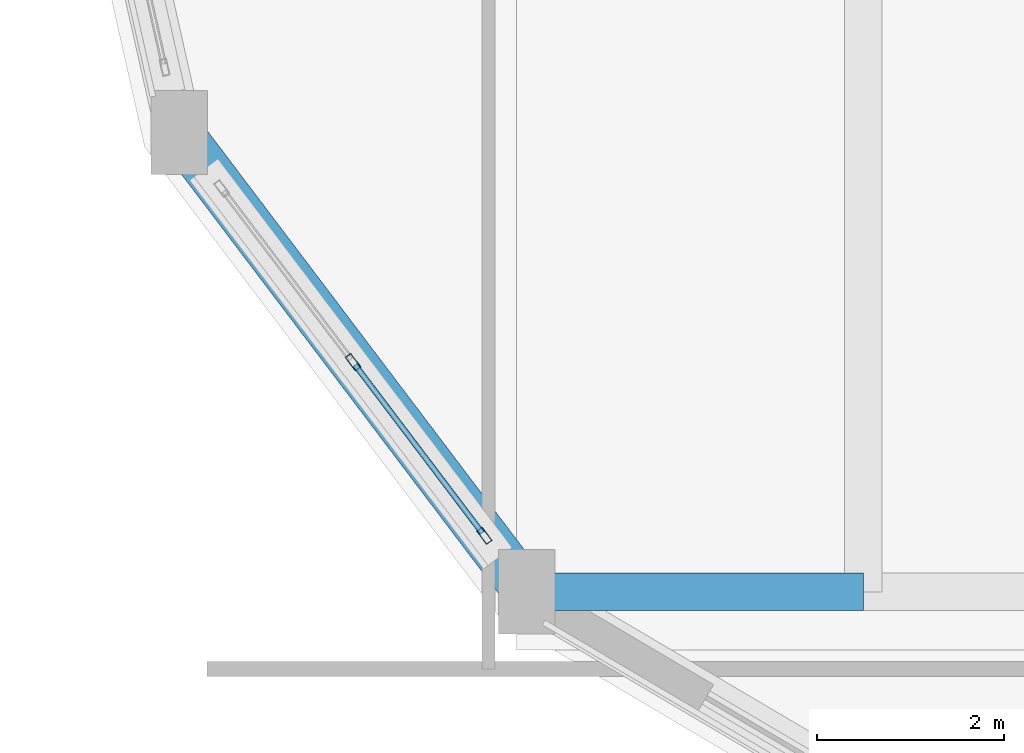
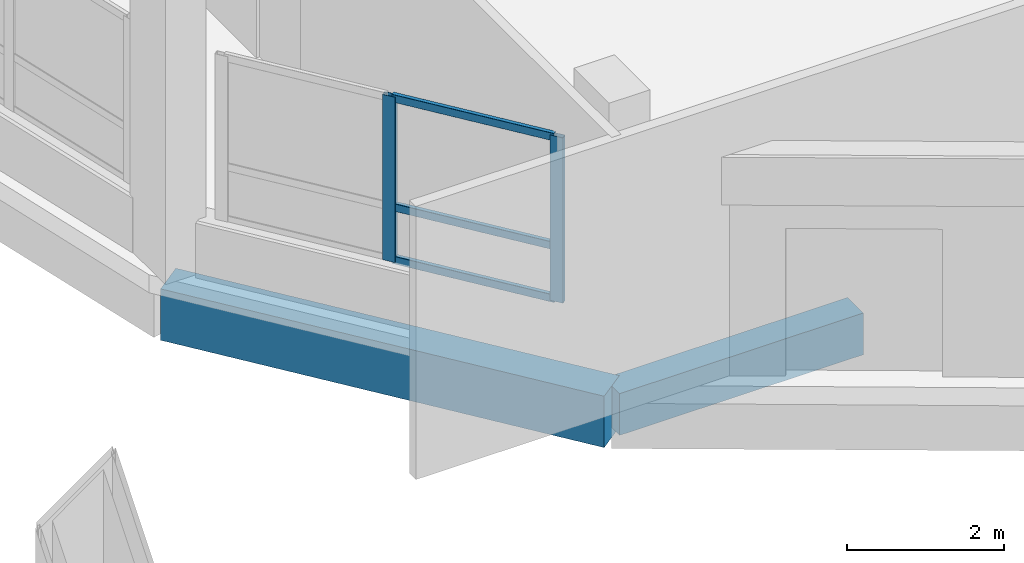
# One storey, part 87 of 129: 5 members, 2 beams, 1 element without a shape of its own.
"""IFC4 building model written with IfcOpenShell, lengths in metres."""

from ifc_helpers import new_model, si_unit, direction, frame, origin, origin_2d, place, context, subcontext, project, spatial, rectangle, hollow_rectangle, extrude, material, layer, layer_set, material_profile, profile_set, type_object, element, aggregate, save


model = new_model("IFC4")

# Units and contexts
model_context = context("Model", 3, precision=1e-05, world=origin(), true_north=direction((0.0, 1.0)))
body_context = subcontext(model_context, "Body", "Model", "MODEL_VIEW")
ifc_project = project(units=[si_unit("LENGTHUNIT", "METRE"), si_unit("AREAUNIT", "SQUARE_METRE"), si_unit("VOLUMEUNIT", "CUBIC_METRE"), si_unit("PLANEANGLEUNIT", "RADIAN"), si_unit("MASSUNIT", "GRAM", prefix="KILO")], contexts=[model_context])

# Site, building, storey
site_placement = place(None, origin())
site = spatial("IfcSite", under=ifc_project, at=site_placement, CompositionType="ELEMENT")
building_placement = place(site_placement, origin())
building = spatial("IfcBuilding", under=site, at=building_placement, Name="Vespera Passage Community Centre", CompositionType="ELEMENT")
storey_placement = place(building_placement, origin())
storey = spatial("IfcBuildingStorey", under=building, at=storey_placement, Name="L00", CompositionType="ELEMENT", Elevation=0.0)

# Beams
ifc_material_1 = material(Name="Concrete f'c 35 MPa", Category="concrete")
ifc_material_profile_1 = material_profile(ifc_material_1, rectangle(XDim=0.39990234375, YDim=0.64990234375, at=origin_2d()), Name="RC400X650")
ifc_profile_set_1 = profile_set([ifc_material_profile_1], Name="Concrete f'c 35 MPa")
beam_type_1 = type_object("IfcBeamType", Name="BM-G-400X650", PredefinedType="BEAM", material=ifc_profile_set_1)
beam_1_placement = place(storey_placement, frame((130.908447265625, 78.82275390625, -0.60498046875), z_axis=(1.0, 0.0, 0.0), x_axis=(0.0, 1.0, 0.0)))
element("IfcBeam", 1, at=beam_1_placement, inside=storey, type_object=beam_type_1, Name="V2 L00 Court Girder 1.1", PredefinedType="BEAM", context=body_context, shape_type="SweptSolid", body=[
    extrude(rectangle(XDim=0.39990234375, YDim=0.64990234375, at=origin_2d()), origin(), (0.0, 0.0, 1.0), 3.591552734375),
])
ifc_material_2 = material(Name="Concrete f'c 35 MPa", Category="concrete")
ifc_material_profile_2 = material_profile(ifc_material_2, rectangle(XDim=0.5, YDim=0.800048828125, at=origin_2d()), Name="RC500X800")
ifc_profile_set_2 = profile_set([ifc_material_profile_2], Name="Concrete f'c 35 MPa")
beam_type_2 = type_object("IfcBeamType", Name="BM-SP-500X800E", PredefinedType="SPANDREL", material=ifc_profile_set_2)
beam_2_placement = place(storey_placement, frame((127.20166015625, 83.721435546875, -0.679931640625), z_axis=(0.603409203322, -0.797431710773, 0.0), x_axis=(0.797431710773, 0.603409203322, 0.0)))
element("IfcBeam", 2, at=beam_2_placement, inside=storey, type_object=beam_type_2, Name="V2 L00 Perimeter Spandrel 10", PredefinedType="SPANDREL", context=body_context, shape_type="SweptSolid", body=[
    extrude(rectangle(XDim=0.5, YDim=0.800048828125, at=origin_2d()), origin(), (0.0, 0.0, 1.0), 6.14306640625),
])

# Curtain wall, members
ifc_material_3 = material(Name="Anodized aluminium 6063-T6", Category="aluminium")
ifc_layer = layer(ifc_material_3, 0.159912109375)
ifc_layer_set = layer_set([ifc_layer], Name="Anodized aluminium 6063-T6")
curtain_wall_type = type_object("IfcCurtainWallType", Name="CW-90E", PredefinedType="NOTDEFINED", material=ifc_layer_set)
curtain_wall_placement = place(storey_placement, origin())
curtain_wall = element("IfcCurtainWall", 3, at=curtain_wall_placement, inside=storey, type_object=curtain_wall_type, Name="Sports Drum Ribbon Curtain Wall L00.10", PredefinedType="NOTDEFINED")
ifc_material_4 = material(Name="Anodized aluminium 6063-T6", Category="aluminium")
ifc_material_profile_3 = material_profile(ifc_material_4, hollow_rectangle(XDim=0.074951171875, YDim=0.179931640625, WallThickness=0.0048828125, InnerFilletRadius=0.00244140625, OuterFilletRadius=0.0048828125, at=origin_2d()), Name="ALU180X75X5")
ifc_profile_set_3 = profile_set([ifc_material_profile_3], Name="Anodized aluminium 6063-T6")
member_type_1 = type_object("IfcMemberType", Name="MB-CWM-180E", PredefinedType="MULLION", material=ifc_profile_set_3)
member_1_placement = place(storey_placement, frame((130.4560546875, 79.42041015625, 0.85009765625), z_axis=(0.0, 0.0, 1.0), x_axis=(-0.797434495654, -0.603405522961, 0.0)))
member_1 = element("IfcMember", 4, at=member_1_placement, type_object=member_type_1, Name="CW-90E mullion 1", PredefinedType="MULLION", context=body_context, shape_type="SweptSolid", body=[
    extrude(hollow_rectangle(XDim=0.074951171875, YDim=0.179931640625, WallThickness=0.0048828125, InnerFilletRadius=0.00244140625, OuterFilletRadius=0.0048828125, at=origin_2d()), origin(), (0.0, 0.0, 1.0), 2.574951171875),
])
member_2_placement = place(storey_placement, frame((129.05517578125, 81.272216796875, 0.85009765625), z_axis=(0.0, 0.0, 1.0), x_axis=(-0.797434495654, -0.603405522961, 0.0)))
member_2 = element("IfcMember", 5, at=member_2_placement, type_object=member_type_1, Name="CW-90E mullion 2", PredefinedType="MULLION", context=body_context, shape_type="SweptSolid", body=[
    extrude(hollow_rectangle(XDim=0.074951171875, YDim=0.179931640625, WallThickness=0.0048828125, InnerFilletRadius=0.00244140625, OuterFilletRadius=0.0048828125, at=origin_2d()), origin(), (0.0, 0.0, 1.0), 2.574951171875),
])
ifc_material_5 = material(Name="Anodized aluminium 6063-T6", Category="aluminium")
ifc_material_profile_4 = material_profile(ifc_material_5, hollow_rectangle(XDim=0.06005859375, YDim=0.1201171875, WallThickness=0.00390625, InnerFilletRadius=0.001953125, OuterFilletRadius=0.00390625, at=origin_2d()), Name="ALU120X60X4")
ifc_profile_set_4 = profile_set([ifc_material_profile_4], Name="Anodized aluminium 6063-T6")
member_type_2 = type_object("IfcMemberType", Name="MB-CWT-120E", PredefinedType="USERDEFINED", material=ifc_profile_set_4)
member_3_placement = place(storey_placement, frame((130.43359375, 79.450439453125, 0.8798828125), z_axis=(-0.603453873456, 0.797397907328, 0.0), x_axis=(-0.797397907328, -0.603453873456, 0.0)))
member_3 = element("IfcMember", 6, at=member_3_placement, type_object=member_type_2, Name="CW-90E transom 1.1", ObjectType="TRANSOM", PredefinedType="USERDEFINED", context=body_context, shape_type="SweptSolid", body=[
    extrude(hollow_rectangle(XDim=0.06005859375, YDim=0.1201171875, WallThickness=0.00390625, InnerFilletRadius=0.001953125, OuterFilletRadius=0.00390625, at=origin_2d()), origin(), (0.0, 0.0, 1.0), 2.2470703125),
])
member_4_placement = place(storey_placement, frame((130.43359375, 79.450439453125, 1.699951171875), z_axis=(-0.603453873456, 0.797397907328, 0.0), x_axis=(-0.797397907328, -0.603453873456, 0.0)))
member_4 = element("IfcMember", 7, at=member_4_placement, type_object=member_type_2, Name="CW-90E transom 1.2", ObjectType="TRANSOM", PredefinedType="USERDEFINED", context=body_context, shape_type="SweptSolid", body=[
    extrude(hollow_rectangle(XDim=0.06005859375, YDim=0.1201171875, WallThickness=0.00390625, InnerFilletRadius=0.001953125, OuterFilletRadius=0.00390625, at=origin_2d()), origin(), (0.0, 0.0, 1.0), 2.2470703125),
])
member_5_placement = place(storey_placement, frame((130.43359375, 79.450439453125, 3.39501953125), z_axis=(-0.603453873456, 0.797397907328, 0.0), x_axis=(-0.797397907328, -0.603453873456, 0.0)))
member_5 = element("IfcMember", 8, at=member_5_placement, type_object=member_type_2, Name="CW-90E transom 1.3", ObjectType="TRANSOM", PredefinedType="USERDEFINED", context=body_context, shape_type="SweptSolid", body=[
    extrude(hollow_rectangle(XDim=0.06005859375, YDim=0.1201171875, WallThickness=0.00390625, InnerFilletRadius=0.001953125, OuterFilletRadius=0.00390625, at=origin_2d()), origin(), (0.0, 0.0, 1.0), 2.2470703125),
])
aggregate(curtain_wall, [member_1, member_2, member_3, member_4, member_5])

save(model, "model.ifc")
